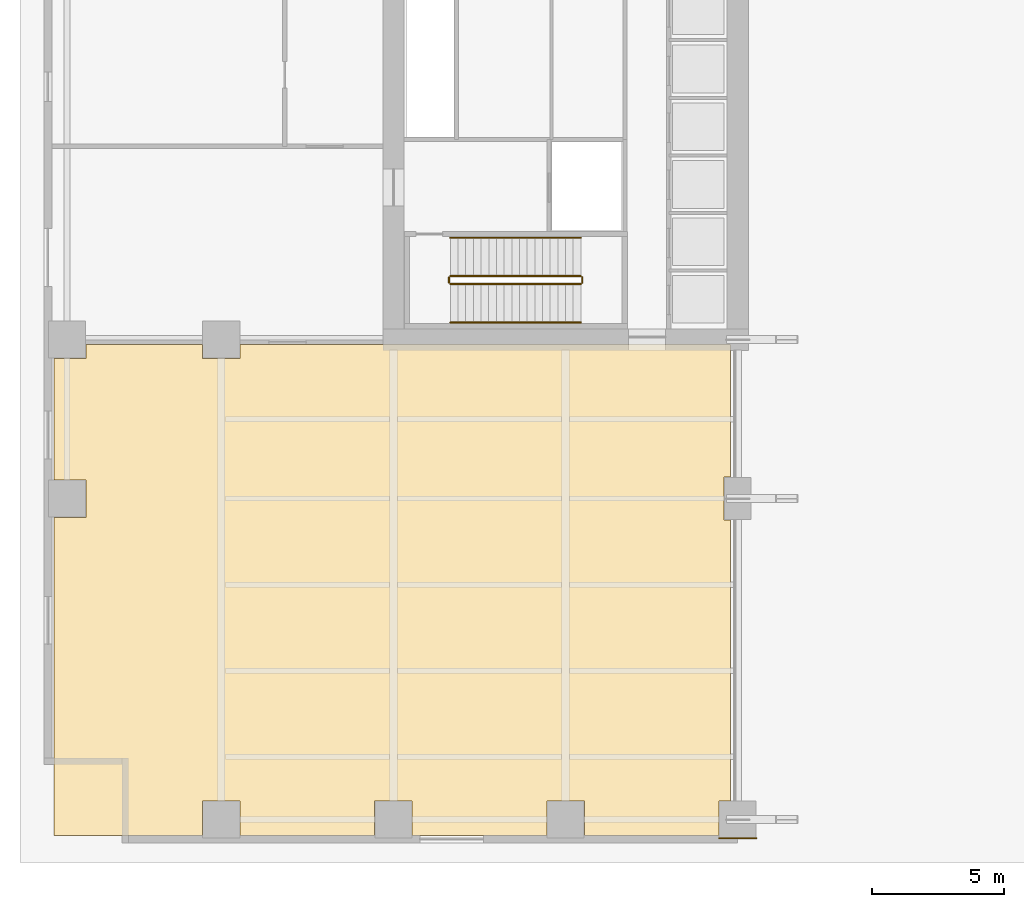
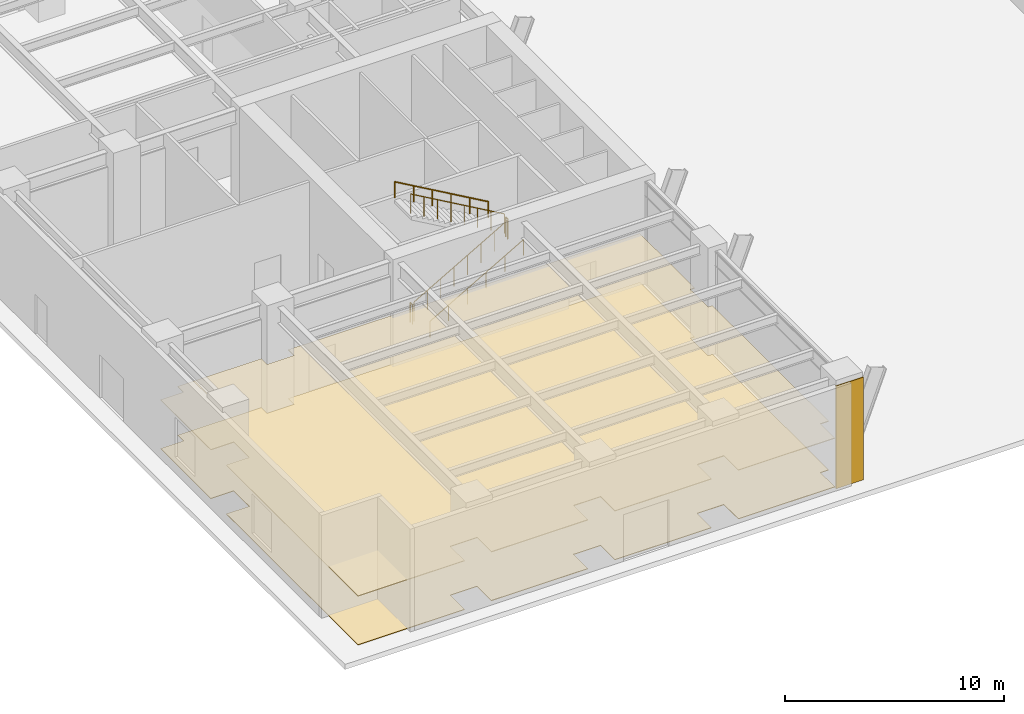
# One storey, part 16 of 20: 6 railings, 3 coverings.
"""IFC4 building model written with IfcOpenShell, lengths in metres."""

from ifc_helpers import new_model, si_unit, direction, frame, origin, origin_2d, place, context, subcontext, project, spatial, polyline, rectangle, circle, outline, extrude, material, layer, layer_set, type_object, element, save


model = new_model("IFC4")

# Units and contexts
model_context = context("Model", 3, precision=1e-05, world=origin(), true_north=direction((0.0, 1.0)))
body_context = subcontext(model_context, "Body", "Model", "MODEL_VIEW")
ifc_project = project(units=[si_unit("LENGTHUNIT", "METRE"), si_unit("AREAUNIT", "SQUARE_METRE"), si_unit("VOLUMEUNIT", "CUBIC_METRE"), si_unit("PLANEANGLEUNIT", "RADIAN"), si_unit("MASSUNIT", "GRAM", prefix="KILO")], contexts=[model_context])

# Site, building, storey
site_placement = place(None, origin())
site = spatial("IfcSite", under=ifc_project, at=site_placement, CompositionType="ELEMENT")
building_placement = place(site_placement, origin())
building = spatial("IfcBuilding", under=site, at=building_placement, Name="Putna Gate Headquarters", CompositionType="ELEMENT")
storey_placement = place(building_placement, origin())
storey = spatial("IfcBuildingStorey", under=building, at=storey_placement, Name="L00", CompositionType="ELEMENT", Elevation=0.0)

# Coverings
ifc_material_1 = material(Name="Perforated mineral-fibre acoustic ceiling tile")
ifc_layer_1 = layer(ifc_material_1, 0.0400390625)
ifc_layer_set_1 = layer_set([ifc_layer_1], Name="Perforated mineral-fibre acoustic ceiling tile")
covering_type_1 = type_object("IfcCoveringType", Name="COV-ACOUSTIC-CEILING", PredefinedType="CEILING", material=ifc_layer_set_1)
covering_1_placement = place(storey_placement, frame((0.0, 0.0, 2.7099609375)))
element("IfcCovering", 1, at=covering_1_placement, inside=storey, type_object=covering_type_1, Name="L00 Acoustic Ceiling Covering 1", PredefinedType="CEILING", context=body_context, shape_type="SweptSolid", body=[
    extrude(outline(polyline([(12.2919921875, 1.587890625), (13.7080078125, 1.587890625), (13.7080078125, 0.280029296875), (18.7919921875, 0.280029296875), (18.7919921875, 1.587890625), (20.2080078125, 1.587890625), (20.2080078125, 0.280029296875), (25.2919921875, 0.280029296875), (25.2919921875, 1.587890625), (25.719970703125, 1.587890625), (25.719970703125, 12.19189453125), (25.491943359375, 12.19189453125), (25.491943359375, 13.80810546875), (25.719970703125, 13.80810546875), (25.719970703125, 18.820068359375), (7.2080078125, 18.820068359375), (7.2080078125, 18.2919921875), (5.7919921875, 18.2919921875), (5.7919921875, 18.820068359375), (1.387939453125, 18.820068359375), (1.387939453125, 18.2919921875), (0.179931640625, 18.2919921875), (0.179931640625, 13.7080078125), (1.387939453125, 13.7080078125), (1.387939453125, 12.2919921875), (0.179931640625, 12.2919921875), (0.179931640625, 0.280029296875), (5.7919921875, 0.280029296875), (5.7919921875, 1.587890625), (7.2080078125, 1.587890625), (7.2080078125, 0.280029296875), (12.2919921875, 0.280029296875), (12.2919921875, 1.587890625)])), origin(), (0.0, 0.0, 1.0), 0.0400390625),
])
ifc_material_2 = material(Name="Anodised architectural bronze rainscreen cladding", Category="aluminium")
ifc_layer_2 = layer(ifc_material_2, 0.0400390625)
ifc_layer_set_2 = layer_set([ifc_layer_2], Name="Anodised architectural bronze rainscreen cladding")
covering_type_2 = type_object("IfcCoveringType", Name="COV-BRONZE-CLADDING", PredefinedType="CLADDING", material=ifc_layer_set_2)
covering_2_placement = place(storey_placement, frame((26.0, 0.1650390625, 0.0), z_axis=(0.0, 0.0, 1.0), x_axis=(1.0, 0.0, 0.0)))
element("IfcCovering", 2, at=covering_2_placement, inside=storey, type_object=covering_type_2, Name="L00 Giant Arch Pier Bronze Cladding WS", PredefinedType="CLADDING", context=body_context, shape_type="SweptSolid", body=[
    extrude(rectangle(XDim=1.43994140625, YDim=0.0400390625, at=origin_2d()), origin(), (0.0, 0.0, 1.0), 5.719970703125),
])
ifc_material_3 = material(Name="Calcium-sulphate raised access floor finish")
ifc_layer_3 = layer(ifc_material_3, 0.030029296875)
ifc_layer_set_3 = layer_set([ifc_layer_3], Name="Calcium-sulphate raised access floor finish")
covering_type_3 = type_object("IfcCoveringType", Name="COV-RAISED-FLOORING", PredefinedType="FLOORING", material=ifc_layer_set_3)
covering_3_placement = place(storey_placement, origin())
element("IfcCovering", 3, at=covering_3_placement, inside=storey, type_object=covering_type_3, Name="L00 Raised Access Floor Covering 1", PredefinedType="FLOORING", context=body_context, shape_type="SweptSolid", body=[
    extrude(outline(polyline([(12.2919921875, 1.587890625), (13.7080078125, 1.587890625), (13.7080078125, 0.280029296875), (18.7919921875, 0.280029296875), (18.7919921875, 1.587890625), (20.2080078125, 1.587890625), (20.2080078125, 0.280029296875), (25.2919921875, 0.280029296875), (25.2919921875, 1.587890625), (25.719970703125, 1.587890625), (25.719970703125, 12.19189453125), (25.491943359375, 12.19189453125), (25.491943359375, 13.80810546875), (25.719970703125, 13.80810546875), (25.719970703125, 18.820068359375), (7.2080078125, 18.820068359375), (7.2080078125, 18.2919921875), (5.7919921875, 18.2919921875), (5.7919921875, 18.820068359375), (1.387939453125, 18.820068359375), (1.387939453125, 18.2919921875), (0.179931640625, 18.2919921875), (0.179931640625, 13.7080078125), (1.387939453125, 13.7080078125), (1.387939453125, 12.2919921875), (0.179931640625, 12.2919921875), (0.179931640625, 0.280029296875), (5.7919921875, 0.280029296875), (5.7919921875, 1.587890625), (7.2080078125, 1.587890625), (7.2080078125, 0.280029296875), (12.2919921875, 0.280029296875), (12.2919921875, 1.587890625)])), origin(), (0.0, 0.0, 1.0), 0.030029296875),
])

# Railings
ifc_material_4 = material(Name="Powder-coated steel stair guardrail", Category="steel")
railing_type_1 = type_object("IfcRailingType", Name="RAIL-STAIR-GUARD-1100", PredefinedType="GUARDRAIL", material=ifc_material_4)
railing_1_placement = place(storey_placement, frame((15.14990234375, 21.10009765625, 0.166748046875)))
element("IfcRailing", 4, at=railing_1_placement, inside=storey, type_object=railing_type_1, Name="L00 ST1 stair guard 1", PredefinedType="GUARDRAIL", context=body_context, shape_type="SweptSolid", body=[
    extrude(circle(Radius=0.02392578125, at=origin_2d()), frame((0.0, 0.0, 1.076171875), z_axis=(0.867027801877, 0.0, 0.498259762345), x_axis=(0.0, 1.0, 0.0)), (0.0, 0.0, 1.0), 5.686279296875),
    extrude(circle(Radius=0.02099609375, at=origin_2d()), origin(), (0.0, 0.0, 1.0), 1.052001953125),
    extrude(circle(Radius=0.02099609375, at=origin_2d()), frame((0.704345703125, 0.0, 0.40478515625)), (0.0, 0.0, 1.0), 1.052001953125),
    extrude(circle(Radius=0.02099609375, at=origin_2d()), frame((1.40869140625, 0.0, 0.8095703125)), (0.0, 0.0, 1.0), 1.052001953125),
    extrude(circle(Radius=0.02099609375, at=origin_2d()), frame((2.113037109375, 0.0, 1.21435546875)), (0.0, 0.0, 1.0), 1.052001953125),
    extrude(circle(Radius=0.02099609375, at=origin_2d()), frame((2.817138671875, 0.0, 1.618896484375)), (0.0, 0.0, 1.0), 1.052001953125),
    extrude(circle(Radius=0.02099609375, at=origin_2d()), frame((3.521484375, 0.0, 2.023681640625)), (0.0, 0.0, 1.0), 1.052001953125),
    extrude(circle(Radius=0.02099609375, at=origin_2d()), frame((4.225830078125, 0.0, 2.428466796875)), (0.0, 0.0, 1.0), 1.052001953125),
    extrude(circle(Radius=0.02099609375, at=origin_2d()), frame((4.93017578125, 0.0, 2.833251953125)), (0.0, 0.0, 1.0), 1.052001953125),
])
railing_2_placement = place(storey_placement, frame((20.1298828125, 21.14990234375, 3.0)))
element("IfcRailing", 5, at=railing_2_placement, inside=storey, type_object=railing_type_1, Name="L00 ST1 stair guard 2", PredefinedType="GUARDRAIL", context=body_context, shape_type="SweptSolid", body=[
    extrude(circle(Radius=0.02392578125, at=origin_2d()), frame((0.0, 0.0, 1.076171875), z_axis=(0.0, 1.0, 0.0), x_axis=(-1.0, 0.0, 0.0)), (0.0, 0.0, 1.0), 0.2001953125),
    extrude(circle(Radius=0.02099609375, at=origin_2d()), origin(), (0.0, 0.0, 1.0), 1.052001953125),
    extrude(circle(Radius=0.02099609375, at=origin_2d()), frame((0.0, 0.2001953125, 0.0)), (0.0, 0.0, 1.0), 1.052001953125),
])
railing_3_placement = place(storey_placement, frame((20.080078125, 21.39990234375, 3.166748046875)))
element("IfcRailing", 6, at=railing_3_placement, inside=storey, type_object=railing_type_1, Name="L00 ST1 stair guard 3", PredefinedType="GUARDRAIL", context=body_context, shape_type="SweptSolid", body=[
    extrude(circle(Radius=0.02392578125, at=origin_2d()), frame((0.0, 0.0, 1.076171875), z_axis=(-0.867027801877, 0.0, 0.498259762345), x_axis=(0.0, -1.0, 0.0)), (0.0, 0.0, 1.0), 5.686279296875),
    extrude(circle(Radius=0.02099609375, at=origin_2d()), origin(), (0.0, 0.0, 1.0), 1.052001953125),
    extrude(circle(Radius=0.02099609375, at=origin_2d()), frame((-0.704345703125, 0.0, 0.40478515625)), (0.0, 0.0, 1.0), 1.052001953125),
    extrude(circle(Radius=0.02099609375, at=origin_2d()), frame((-1.40869140625, 0.0, 0.8095703125)), (0.0, 0.0, 1.0), 1.052001953125),
    extrude(circle(Radius=0.02099609375, at=origin_2d()), frame((-2.113037109375, 0.0, 1.21435546875)), (0.0, 0.0, 1.0), 1.052001953125),
    extrude(circle(Radius=0.02099609375, at=origin_2d()), frame((-2.817138671875, 0.0, 1.618896484375)), (0.0, 0.0, 1.0), 1.052001953125),
    extrude(circle(Radius=0.02099609375, at=origin_2d()), frame((-3.521484375, 0.0, 2.023681640625)), (0.0, 0.0, 1.0), 1.052001953125),
    extrude(circle(Radius=0.02099609375, at=origin_2d()), frame((-4.225830078125, 0.0, 2.428466796875)), (0.0, 0.0, 1.0), 1.052001953125),
    extrude(circle(Radius=0.02099609375, at=origin_2d()), frame((-4.93017578125, 0.0, 2.833251953125)), (0.0, 0.0, 1.0), 1.052001953125),
])
railing_4_placement = place(storey_placement, frame((15.10009765625, 21.14990234375, 0.0)))
element("IfcRailing", 7, at=railing_4_placement, inside=storey, type_object=railing_type_1, Name="L00 ST1 stair guard 4", PredefinedType="GUARDRAIL", context=body_context, shape_type="SweptSolid", body=[
    extrude(circle(Radius=0.02392578125, at=origin_2d()), frame((0.0, 0.0, 1.076171875), z_axis=(0.0, 1.0, 0.0), x_axis=(-1.0, 0.0, 0.0)), (0.0, 0.0, 1.0), 0.2001953125),
    extrude(circle(Radius=0.02099609375, at=origin_2d()), origin(), (0.0, 0.0, 1.0), 1.052001953125),
    extrude(circle(Radius=0.02099609375, at=origin_2d()), frame((0.0, 0.2001953125, 0.0)), (0.0, 0.0, 1.0), 1.052001953125),
])
ifc_material_5 = material(Name="Brushed stainless steel handrail", Category="steel")
railing_type_2 = type_object("IfcRailingType", Name="RAIL-STAIR-HAND-900", PredefinedType="HANDRAIL", material=ifc_material_5)
railing_5_placement = place(storey_placement, frame((15.14990234375, 19.64990234375, 0.166748046875)))
element("IfcRailing", 8, at=railing_5_placement, inside=storey, type_object=railing_type_2, Name="L00 ST1 stair handrail 1", PredefinedType="HANDRAIL", context=body_context, shape_type="SweptSolid", body=[
    extrude(circle(Radius=0.02392578125, at=origin_2d()), frame((0.0, 0.0, 0.8759765625), z_axis=(0.867027801877, 0.0, 0.498259762345), x_axis=(0.0, 1.0, 0.0)), (0.0, 0.0, 1.0), 5.686279296875),
    extrude(circle(Radius=0.02099609375, at=origin_2d()), origin(), (0.0, 0.0, 1.0), 0.851806640625),
    extrude(circle(Radius=0.02099609375, at=origin_2d()), frame((0.986083984375, 0.0, 0.566650390625)), (0.0, 0.0, 1.0), 0.851806640625),
    extrude(circle(Radius=0.02099609375, at=origin_2d()), frame((1.97216796875, 0.0, 1.13330078125)), (0.0, 0.0, 1.0), 0.851806640625),
    extrude(circle(Radius=0.02099609375, at=origin_2d()), frame((2.9580078125, 0.0, 1.699951171875)), (0.0, 0.0, 1.0), 0.851806640625),
    extrude(circle(Radius=0.02099609375, at=origin_2d()), frame((3.944091796875, 0.0, 2.2666015625)), (0.0, 0.0, 1.0), 0.851806640625),
    extrude(circle(Radius=0.02099609375, at=origin_2d()), frame((4.93017578125, 0.0, 2.833251953125)), (0.0, 0.0, 1.0), 0.851806640625),
])
railing_6_placement = place(storey_placement, frame((20.080078125, 22.85009765625, 3.166748046875)))
element("IfcRailing", 9, at=railing_6_placement, inside=storey, type_object=railing_type_2, Name="L00 ST1 stair handrail 2", PredefinedType="HANDRAIL", context=body_context, shape_type="SweptSolid", body=[
    extrude(circle(Radius=0.02392578125, at=origin_2d()), frame((0.0, 0.0, 0.8759765625), z_axis=(-0.867027801877, 0.0, 0.498259762345), x_axis=(0.0, -1.0, 0.0)), (0.0, 0.0, 1.0), 5.686279296875),
    extrude(circle(Radius=0.02099609375, at=origin_2d()), origin(), (0.0, 0.0, 1.0), 0.851806640625),
    extrude(circle(Radius=0.02099609375, at=origin_2d()), frame((-0.986083984375, 0.0, 0.566650390625)), (0.0, 0.0, 1.0), 0.851806640625),
    extrude(circle(Radius=0.02099609375, at=origin_2d()), frame((-1.97216796875, 0.0, 1.13330078125)), (0.0, 0.0, 1.0), 0.851806640625),
    extrude(circle(Radius=0.02099609375, at=origin_2d()), frame((-2.9580078125, 0.0, 1.699951171875)), (0.0, 0.0, 1.0), 0.851806640625),
    extrude(circle(Radius=0.02099609375, at=origin_2d()), frame((-3.944091796875, 0.0, 2.2666015625)), (0.0, 0.0, 1.0), 0.851806640625),
    extrude(circle(Radius=0.02099609375, at=origin_2d()), frame((-4.93017578125, 0.0, 2.833251953125)), (0.0, 0.0, 1.0), 0.851806640625),
])

save(model, "model.ifc")
